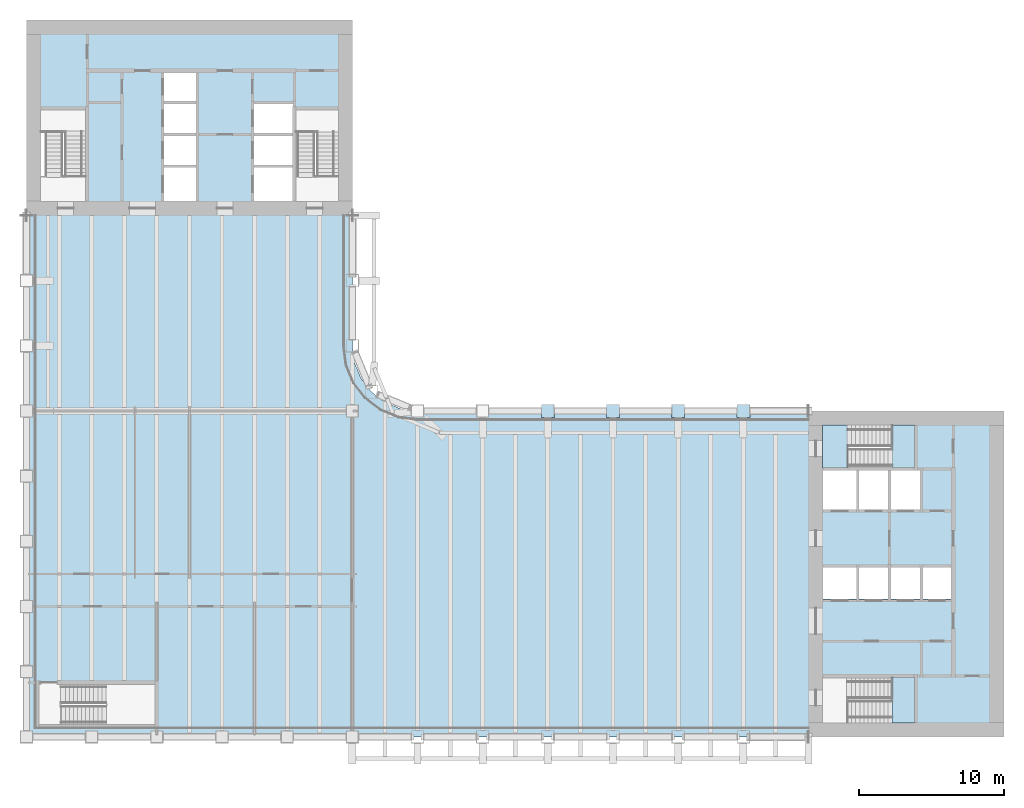
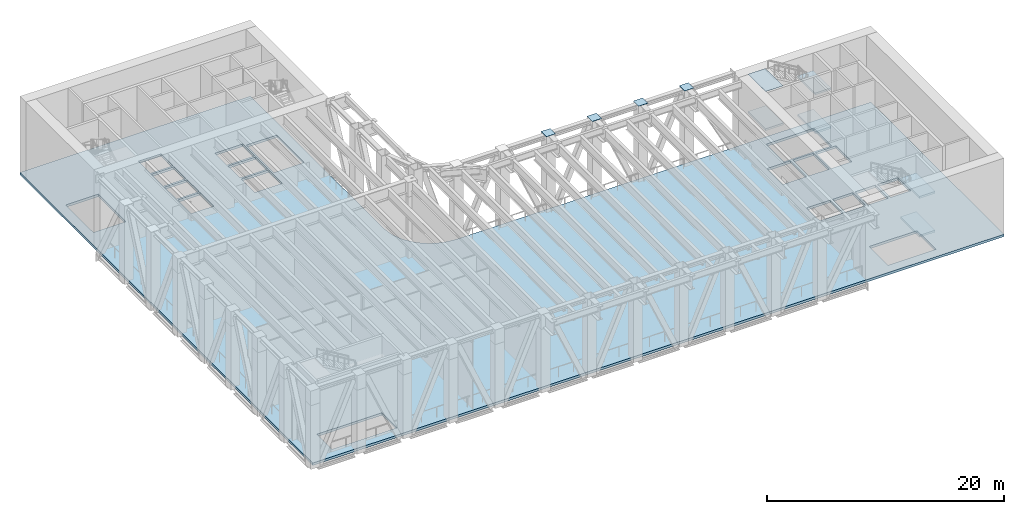
# One storey, part 4 of 16: 7 slabs, 4 plates, 2 elements without a shape of their own.
"""IFC4 building model written with IfcOpenShell, lengths in metres."""

from ifc_helpers import new_model, si_unit, direction, frame, origin, origin_2d, place, context, subcontext, project, spatial, polyline, rectangle, outline, extrude, material, layer, layer_set, type_object, element, aggregate, save


model = new_model("IFC4")

# Units and contexts
model_context = context("Model", 3, precision=1e-05, world=origin(), true_north=direction((0.0, 1.0)))
body_context = subcontext(model_context, "Body", "Model", "MODEL_VIEW")
ifc_project = project(units=[si_unit("LENGTHUNIT", "METRE"), si_unit("AREAUNIT", "SQUARE_METRE"), si_unit("VOLUMEUNIT", "CUBIC_METRE"), si_unit("PLANEANGLEUNIT", "RADIAN"), si_unit("MASSUNIT", "GRAM", prefix="KILO")], contexts=[model_context])

# Site, building, storey
site_placement = place(None, origin())
site = spatial("IfcSite", under=ifc_project, at=site_placement, CompositionType="ELEMENT")
building_placement = place(site_placement, origin())
building = spatial("IfcBuilding", under=site, at=building_placement, Name="Sennacour Bend Tower", CompositionType="ELEMENT")
storey_placement = place(building_placement, frame((0.0, 0.0, 187.0)))
storey = spatial("IfcBuildingStorey", under=building, at=storey_placement, Name="L43", CompositionType="ELEMENT", Elevation=187.0)

# Plates
ifc_material_1 = material(Name="Steel ASTM A572 Grade 50", Category="steel")
ifc_layer_1 = layer(ifc_material_1, 0.02490234375, Name="Steel ASTM A572 Grade 50", Category="steel")
ifc_layer_set_1 = layer_set([ifc_layer_1], Name="Steel ASTM A572 Grade 50")
plate_type = type_object("IfcPlateType", Name="Column cap plate 900", PredefinedType="USERDEFINED", material=ifc_layer_set_1)
for number, where, z_axis, x_axis, name in (
    (1, (36.0, 22.5, 7.85009765625), (0.0, 0.0, 1.0), (1.0, 0.0, 0.0), "Column cap plate L43-023"),
    (2, (40.5, 22.5, 7.85009765625), (0.0, 0.0, 1.0), (1.0, 0.0, 0.0), "Column cap plate L43-025"),
    (3, (45.0, 22.5, 7.85009765625), (0.0, 0.0, 1.0), (1.0, 0.0, 0.0), "Column cap plate L43-027"),
    (4, (49.5, 22.5, 7.85009765625), (0.0, 0.0, 1.0), (1.0, 0.0, 0.0), "Column cap plate L43-029"),
):
    element("IfcPlate", number, at=place(storey_placement, frame(where, z_axis=z_axis, x_axis=x_axis)), inside=storey, type_object=plate_type, Name=name, ObjectType="END PLATE", PredefinedType="USERDEFINED", context=body_context, shape_type="SweptSolid", body=[
        extrude(rectangle(XDim=0.89990234375, YDim=0.89990234375, at=origin_2d()), origin(), (0.0, 0.0, 1.0), 0.02490234375),
    ])

# Slabs
ifc_material_2 = material(Name="Concrete C30/37", Category="concrete")
ifc_layer_2 = layer(ifc_material_2, 0.25, Name="Concrete C30/37", Category="concrete")
ifc_layer_set_2 = layer_set([ifc_layer_2], Name="Concrete C30/37")
slab_type_1 = type_object("IfcSlabType", Name="Floor slab 250", PredefinedType="FLOOR", material=ifc_layer_set_2)
slab_1_placement = place(storey_placement, frame((0.0, 0.0, -0.25)))
element("IfcSlab", 5, at=slab_1_placement, inside=storey, type_object=slab_type_1, Name="Floor slab L43-01", PredefinedType="FLOOR", context=body_context, shape_type="SweptSolid", body=[
    extrude(outline(polyline([(0.0, 36.0), (0.0, 49.5), (22.5, 49.5), (22.5, 36.0), (22.5, 27.0), (22.6533203125, 25.835205078125), (23.102783203125, 24.75), (23.818115234375, 23.818115234375), (24.75, 23.102783203125), (25.835205078125, 22.6533203125), (27.0, 22.5), (54.0, 22.5), (67.5, 22.5), (67.5, 0.0), (54.0, 0.0), (22.5, 0.0), (0.0, 0.0), (0.0, 22.5), (0.0, 36.0)]), holes=[polyline([(8.800048828125, 0.949951171875), (8.800048828125, 3.5), (2.429931640625, 3.5), (2.429931640625, 0.949951171875), (8.800048828125, 0.949951171875)]), polyline([(11.699951171875, 37.0), (11.699951171875, 39.300048828125), (9.5, 39.300048828125), (9.5, 37.0), (11.699951171875, 37.0)]), polyline([(18.39990234375, 37.0), (18.39990234375, 39.300048828125), (15.699951171875, 39.300048828125), (15.699951171875, 37.0), (18.39990234375, 37.0)]), polyline([(11.699951171875, 39.5), (11.699951171875, 41.5), (9.5, 41.5), (9.5, 39.5), (11.699951171875, 39.5)]), polyline([(18.39990234375, 39.5), (18.39990234375, 41.5), (15.699951171875, 41.5), (15.699951171875, 39.5), (18.39990234375, 39.5)]), polyline([(4.125, 38.72998046875), (4.125, 43.39990234375), (0.949951171875, 43.39990234375), (0.949951171875, 38.72998046875), (4.125, 38.72998046875)]), polyline([(21.550048828125, 38.72998046875), (21.550048828125, 43.39990234375), (18.574951171875, 43.39990234375), (18.574951171875, 38.72998046875), (21.550048828125, 38.72998046875)]), polyline([(9.5, 41.699951171875), (11.699951171875, 41.699951171875), (11.699951171875, 43.699951171875), (9.5, 43.699951171875), (9.5, 41.699951171875)]), polyline([(15.699951171875, 41.699951171875), (18.39990234375, 41.699951171875), (18.39990234375, 43.699951171875), (15.699951171875, 43.699951171875), (15.699951171875, 41.699951171875)]), polyline([(11.699951171875, 43.89990234375), (11.699951171875, 45.89990234375), (9.5, 45.89990234375), (9.5, 43.89990234375), (11.699951171875, 43.89990234375)]), polyline([(61.39990234375, 0.949951171875), (61.39990234375, 4.125), (56.72998046875, 4.125), (56.72998046875, 0.949951171875), (61.39990234375, 0.949951171875)]), polyline([(57.300048828125, 9.5), (57.300048828125, 11.699951171875), (55.0, 11.699951171875), (55.0, 9.5), (57.300048828125, 9.5)]), polyline([(57.5, 9.5), (59.5, 9.5), (59.5, 11.699951171875), (57.5, 11.699951171875), (57.5, 9.5)]), polyline([(59.699951171875, 9.5), (61.699951171875, 9.5), (61.699951171875, 11.699951171875), (59.699951171875, 11.699951171875), (59.699951171875, 9.5)]), polyline([(63.89990234375, 9.5), (63.89990234375, 11.699951171875), (61.89990234375, 11.699951171875), (61.89990234375, 9.5), (63.89990234375, 9.5)]), polyline([(57.300048828125, 15.699951171875), (57.300048828125, 18.39990234375), (55.0, 18.39990234375), (55.0, 15.699951171875), (57.300048828125, 15.699951171875)]), polyline([(59.5, 15.699951171875), (59.5, 18.39990234375), (57.5, 18.39990234375), (57.5, 15.699951171875), (59.5, 15.699951171875)]), polyline([(59.699951171875, 15.699951171875), (61.699951171875, 15.699951171875), (61.699951171875, 18.39990234375), (59.699951171875, 18.39990234375), (59.699951171875, 15.699951171875)]), polyline([(56.72998046875, 18.574951171875), (61.39990234375, 18.574951171875), (61.39990234375, 21.550048828125), (56.72998046875, 21.550048828125), (56.72998046875, 18.574951171875)])]), origin(), (0.0, 0.0, 1.0), 0.25),
])
ifc_material_3 = material(Name="Concrete C40/50", Category="concrete")
ifc_layer_3 = layer(ifc_material_3, 0.034912109375, Name="Concrete C40/50", Category="concrete")
ifc_layer_set_3 = layer_set([ifc_layer_3], Name="Concrete C40/50")
slab_type_2 = type_object("IfcSlabType", Name="Stair arrival nib 35", PredefinedType="FLOOR", material=ifc_layer_set_3)
slab_2_placement = place(storey_placement, frame((0.0, 0.0, 7.815185546875)))
element("IfcSlab", 6, at=slab_2_placement, inside=storey, type_object=slab_type_2, Name="L43 SA2 stair arrival nib", PredefinedType="FLOOR", context=body_context, shape_type="SweptSolid", body=[
    extrude(outline(polyline([(56.64208984375, 21.550048828125), (54.949951171875, 21.550048828125), (54.949951171875, 18.574951171875), (56.64208984375, 18.574951171875), (56.64208984375, 21.550048828125)])), origin(), (0.0, 0.0, 1.0), 0.034912109375),
])

# Stair, slabs
stair_type = type_object("IfcStairType", Name="ST-DOGLEG", PredefinedType="HALF_TURN_STAIR", material=ifc_material_3)
stair_1_placement = place(storey_placement, origin())
stair_1 = element("IfcStair", 7, at=stair_1_placement, inside=storey, type_object=stair_type, Name="L43 Exit stair A1", PredefinedType="HALF_TURN_STAIR")
ifc_layer_4 = layer(ifc_material_3, 0.199951171875, Name="Concrete C40/50", Category="concrete")
ifc_layer_set_4 = layer_set([ifc_layer_4], Name="Concrete C40/50")
slab_type_3 = type_object("IfcSlabType", Name="Stair landing 200", PredefinedType="LANDING", material=ifc_layer_set_4)
slab_3_placement = place(storey_placement, frame((0.0, 0.0, 1.800048828125)))
slab_3 = element("IfcSlab", 8, at=slab_3_placement, type_object=slab_type_3, Name="SA1 landing 1", PredefinedType="LANDING", context=body_context, shape_type="SweptSolid", body=[
    extrude(outline(polyline([(59.780029296875, 0.949951171875), (61.324951171875, 0.949951171875), (61.324951171875, 4.125), (59.780029296875, 4.125), (59.780029296875, 0.949951171875)])), origin(), (0.0, 0.0, 1.0), 0.199951171875),
])
slab_4_placement = place(storey_placement, frame((0.0, 0.0, 5.800048828125)))
slab_4 = element("IfcSlab", 9, at=slab_4_placement, type_object=slab_type_3, Name="SA1 landing 3", PredefinedType="LANDING", context=body_context, shape_type="SweptSolid", body=[
    extrude(outline(polyline([(59.780029296875, 0.949951171875), (61.324951171875, 0.949951171875), (61.324951171875, 4.125), (59.780029296875, 4.125), (59.780029296875, 0.949951171875)])), origin(), (0.0, 0.0, 1.0), 0.199951171875),
])
aggregate(stair_1, [slab_3, slab_4])

stair_2_placement = place(storey_placement, origin())
stair_2 = element("IfcStair", 10, at=stair_2_placement, inside=storey, type_object=stair_type, Name="L43 Exit stair A2", PredefinedType="HALF_TURN_STAIR")
slab_5_placement = place(storey_placement, frame((0.0, 0.0, 1.800048828125)))
slab_5 = element("IfcSlab", 11, at=slab_5_placement, type_object=slab_type_3, Name="SA2 landing 1", PredefinedType="LANDING", context=body_context, shape_type="SweptSolid", body=[
    extrude(outline(polyline([(59.780029296875, 18.574951171875), (61.324951171875, 18.574951171875), (61.324951171875, 21.550048828125), (59.780029296875, 21.550048828125), (59.780029296875, 18.574951171875)])), origin(), (0.0, 0.0, 1.0), 0.199951171875),
])
slab_6_placement = place(storey_placement, frame((0.0, 0.0, 3.800048828125)))
slab_6 = element("IfcSlab", 12, at=slab_6_placement, type_object=slab_type_3, Name="SA2 landing 2", PredefinedType="LANDING", context=body_context, shape_type="SweptSolid", body=[
    extrude(outline(polyline([(54.949951171875, 18.574951171875), (56.699951171875, 18.574951171875), (56.699951171875, 21.550048828125), (54.949951171875, 21.550048828125), (54.949951171875, 18.574951171875)])), origin(), (0.0, 0.0, 1.0), 0.199951171875),
])
slab_7_placement = place(storey_placement, frame((0.0, 0.0, 5.800048828125)))
slab_7 = element("IfcSlab", 13, at=slab_7_placement, type_object=slab_type_3, Name="SA2 landing 3", PredefinedType="LANDING", context=body_context, shape_type="SweptSolid", body=[
    extrude(outline(polyline([(59.780029296875, 18.574951171875), (61.324951171875, 18.574951171875), (61.324951171875, 21.550048828125), (59.780029296875, 21.550048828125), (59.780029296875, 18.574951171875)])), origin(), (0.0, 0.0, 1.0), 0.199951171875),
])
aggregate(stair_2, [slab_5, slab_6, slab_7])

save(model, "model.ifc")
